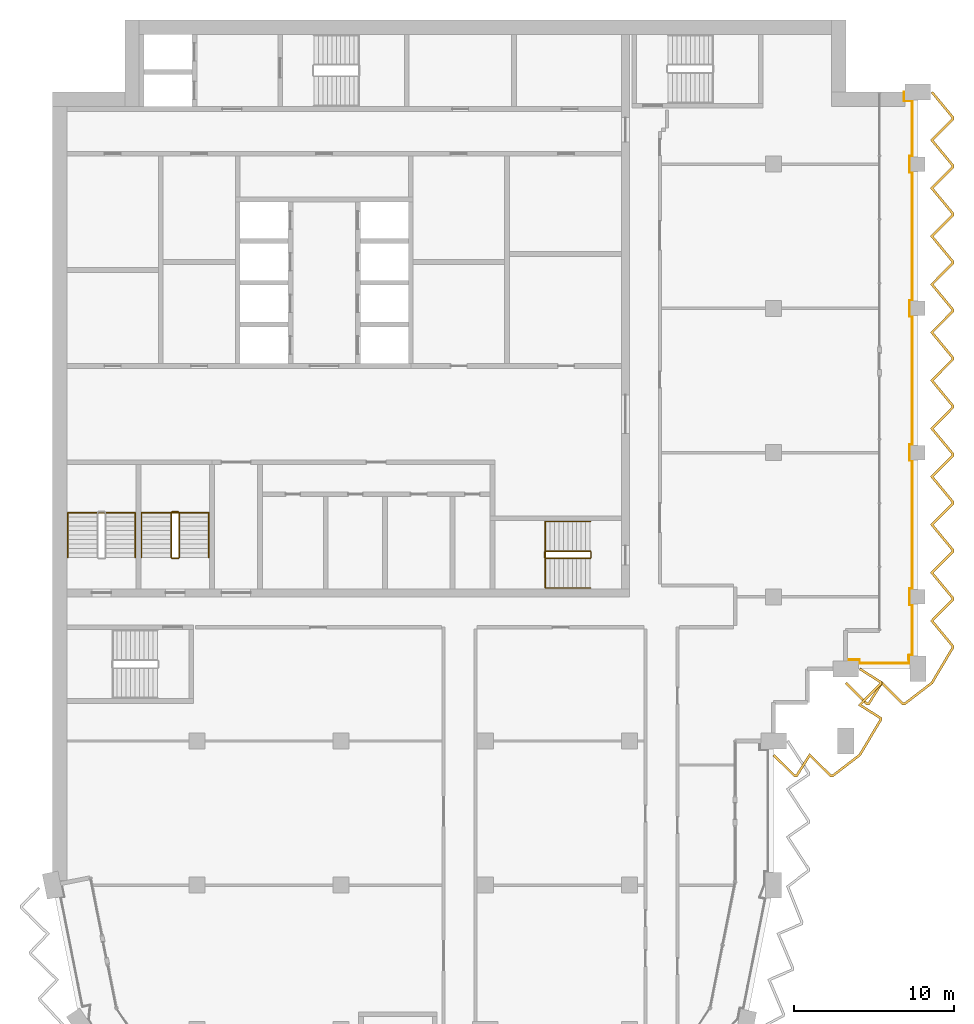
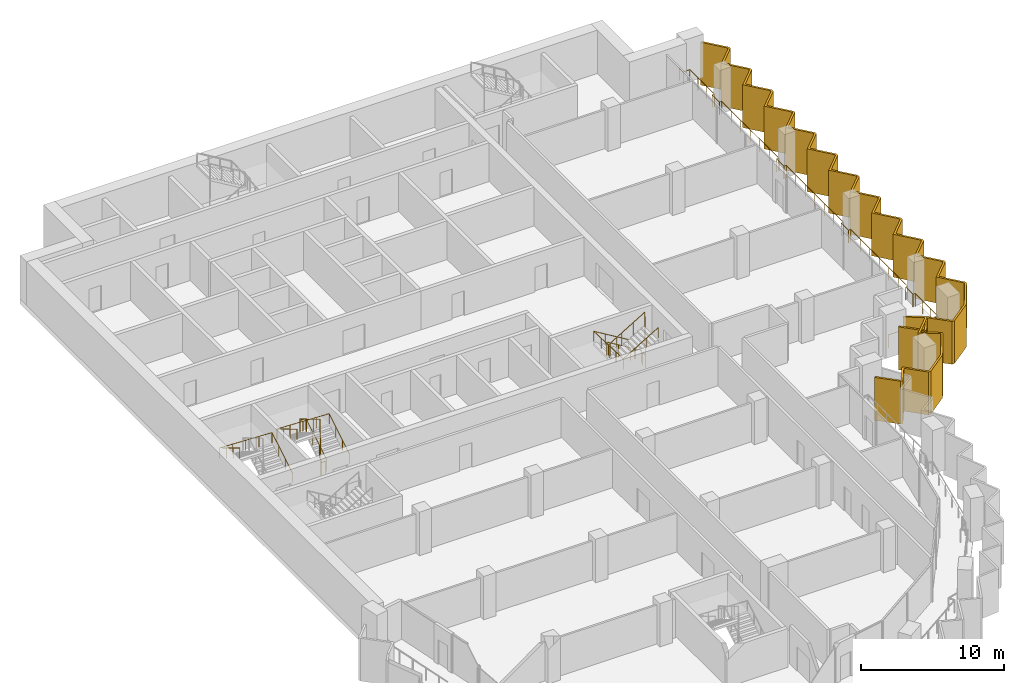
# One storey, part 14 of 15: 6 railings, 2 shading devices.
"""IFC4 building model written with IfcOpenShell, lengths in metres."""

import ifcopenshell
import ifcopenshell.guid

model = None  # the IFC model being written
_history = None  # IfcOwnerHistory: only IFC2X3 demands one
_inside = {}  # id of a spatial element -> (the spatial element, [elements in it])
_under = {}  # id of a project, library or spatial element -> (it, [spatial elements below it])
_declared = {}  # id of a project -> (the project, [libraries it declares])
_typed = {}  # id of a type object -> (the type object, [elements of that type])
_made_of = {}  # id of a material, layer set ... -> (it, [elements and type objects made of it])


def new_model(schema):
    """Start an empty IFC model of exactly this schema.

    Asked for "IFC4X3", IfcOpenShell would pick the latest addendum, in which some entities
    have other attributes; the version numbers below select the first issue.
    IFC2X3 requires an IfcOwnerHistory on every rooted entity: one is made here for all.
    """
    global model, _history
    if schema == "IFC4X3":
        model = ifcopenshell.file(schema_version=(4, 3, 0, 0))
    else:
        model = ifcopenshell.file(schema=schema)
    _inside.clear()
    _under.clear()
    _declared.clear()
    _typed.clear()
    _made_of.clear()
    _history = None
    if model.schema == "IFC2X3":
        org = make("IfcOrganization", Name="unknown")
        user = make(
            "IfcPersonAndOrganization",
            ThePerson=make("IfcPerson", FamilyName="unknown"),
            TheOrganization=org,
        )
        app = make(
            "IfcApplication",
            ApplicationDeveloper=org,
            Version="unknown",
            ApplicationFullName="unknown",
            ApplicationIdentifier="unknown",
        )
        _history = make(
            "IfcOwnerHistory",
            OwningUser=user,
            OwningApplication=app,
            ChangeAction="ADDED",
            CreationDate=0,
        )
    return model


def make(cls, **values):
    """One entity of the class cls with the attributes given. An attribute that is None is left unset."""
    return model.create_entity(
        cls, **{name: value for name, value in values.items() if value is not None}
    )


def rooted(cls, **values):
    """An entity with a GlobalId (a new one), such as an element, a storey or a relation."""
    return make(cls, GlobalId=ifcopenshell.guid.new(), OwnerHistory=_history, **values)


def si_unit(unit_type, name, prefix=None):
    """IfcSIUnit, for example si_unit("LENGTHUNIT", "METRE", prefix="MILLI")."""
    return make("IfcSIUnit", UnitType=unit_type, Prefix=prefix, Name=name)


def assignment(units):
    """IfcUnitAssignment: the units of a project."""
    return None if units is None else make("IfcUnitAssignment", Units=units)


def point(xyz):
    """IfcCartesianPoint."""
    return None if xyz is None else make("IfcCartesianPoint", Coordinates=xyz)


def direction(xyz):
    """IfcDirection."""
    return None if xyz is None else make("IfcDirection", DirectionRatios=xyz)


def frame(location, z_axis=None, x_axis=None):
    """IfcAxis2Placement3D, a coordinate frame: its origin and axes. An axis left out is left unset."""
    return make(
        "IfcAxis2Placement3D",
        Location=point(location),
        Axis=direction(z_axis),
        RefDirection=direction(x_axis),
    )


def frame_2d(location, x_axis=None):
    """IfcAxis2Placement2D, a coordinate frame in the plane: its origin and x axis."""
    return make(
        "IfcAxis2Placement2D", Location=point(location), RefDirection=direction(x_axis)
    )


def origin():
    """The frame at (0, 0, 0) with its axes left unset."""
    return frame((0.0, 0.0, 0.0))


def origin_2d():
    """The frame at (0, 0) in the plane with its x axis left unset."""
    return frame_2d((0.0, 0.0))


def place(relative_to, where):
    """IfcLocalPlacement: puts the frame where relative to a parent placement (None: the world)."""
    return make(
        "IfcLocalPlacement", PlacementRelTo=relative_to, RelativePlacement=where
    )


def context(
    kind, dimensions, precision=None, world=None, true_north=None, identifier=None
):
    """IfcGeometricRepresentationContext, for example the 3D "Model" context."""
    return make(
        "IfcGeometricRepresentationContext",
        ContextIdentifier=identifier,
        ContextType=kind,
        CoordinateSpaceDimension=dimensions,
        Precision=precision,
        WorldCoordinateSystem=world,
        TrueNorth=true_north,
    )


def subcontext(parent, identifier, kind, view, scale=None):
    """IfcGeometricRepresentationSubContext, for example "Body" below "Model"."""
    return make(
        "IfcGeometricRepresentationSubContext",
        ContextIdentifier=identifier,
        ContextType=kind,
        ParentContext=parent,
        TargetScale=scale,
        TargetView=view,
    )


def project(units=None, contexts=None):
    """IfcProject with its units and contexts."""
    return rooted(
        "IfcProject",
        Name="project",
        RepresentationContexts=contexts,
        UnitsInContext=assignment(units),
    )


def spatial(cls, under=None, at=None, **own):
    """A site, building, storey or space (cls), placed at a placement, below another one or the project."""
    s = rooted(cls, ObjectPlacement=at, **own)
    if under is not None:
        _under.setdefault(under.id(), (under, []))[1].append(s)
    return s


def polyline(points):
    """IfcPolyline through the points."""
    return make("IfcPolyline", Points=[point(p) for p in points])


def profile(cls, at=None, kind="AREA", **sizes):
    """A parametric profile (cls). Its sizes go by their IFC names, for example OverallWidth=200.0."""
    return make(cls, ProfileType=kind, Position=at, **sizes)


def circle(**sizes):
    """IfcCircleProfileDef."""
    return profile("IfcCircleProfileDef", **sizes)


def outline(outer, holes=None, kind="AREA"):
    """IfcArbitraryClosedProfileDef: a profile drawn as a closed curve; with holes, ...WithVoids."""
    if holes is None:
        return make("IfcArbitraryClosedProfileDef", ProfileType=kind, OuterCurve=outer)
    return make(
        "IfcArbitraryProfileDefWithVoids",
        ProfileType=kind,
        OuterCurve=outer,
        InnerCurves=holes,
    )


def extrude(swept, where, along, depth):
    """IfcExtrudedAreaSolid: the profile swept, set in the frame where, extruded along a direction by depth."""
    return make(
        "IfcExtrudedAreaSolid",
        SweptArea=swept,
        Position=where,
        ExtrudedDirection=direction(along),
        Depth=depth,
    )


def shape(context_of_items, identifier, shape_type, items):
    """IfcShapeRepresentation: the items that make up one representation, for example the "Body"."""
    return make(
        "IfcShapeRepresentation",
        ContextOfItems=context_of_items,
        RepresentationIdentifier=identifier,
        RepresentationType=shape_type,
        Items=items,
    )


def material(Name=None, Category=None):
    """IfcMaterial."""
    return make("IfcMaterial", Name=Name, Category=Category)


def layer(
    of_material, thickness, ventilated=None, Name=None, Category=None, Priority=None
):
    """IfcMaterialLayer: one layer of a wall or slab, of a material (None: an air gap)."""
    return make(
        "IfcMaterialLayer",
        Material=of_material,
        LayerThickness=thickness,
        IsVentilated=ventilated,
        Name=Name,
        Category=Category,
        Priority=Priority,
    )


def layer_set(layers, Name=None):
    """IfcMaterialLayerSet."""
    return make("IfcMaterialLayerSet", MaterialLayers=layers, LayerSetName=Name)


def made_of(thing, what):
    """Note that an element or type object is made of a material, layer set ...; save() writes the relation."""
    if what is not None:
        _made_of.setdefault(what.id(), (what, []))[1].append(thing)
    return thing


def type_object(cls, material=None, **own):
    """A type object (cls), such as IfcWallType, which elements share."""
    return made_of(rooted(cls, **own), material)


def element(
    cls,
    number,
    at=None,
    inside=None,
    cuts=None,
    type_object=None,
    material=None,
    context=None,
    identifier="Body",
    shape_type=None,
    held_by="IfcProductDefinitionShape",
    body=None,
    shapes=None,
    **own,
):
    """One element of the class cls, such as IfcWall. Its Tag is "e" and its number.

    at: its placement. inside: the storey or other place that contains it. cuts: it is an
    opening in that element (IfcRelVoidsElement). A single representation is given by context,
    identifier, shape_type and body (its items); several are given by shapes. held_by: the class
    of the entity that holds the representations. save() writes the other relations.
    """
    e = rooted(cls, Tag="e%d" % number, ObjectPlacement=at, **own)
    if body is not None:
        shapes = [shape(context, identifier, shape_type, body)]
    if shapes is not None:
        e.Representation = make(held_by, Representations=shapes)
    if inside is not None:
        _inside.setdefault(inside.id(), (inside, []))[1].append(e)
    if cuts is not None:
        rooted(
            "IfcRelVoidsElement", RelatingBuildingElement=cuts, RelatedOpeningElement=e
        )
    if type_object is not None:
        _typed.setdefault(type_object.id(), (type_object, []))[1].append(e)
    return made_of(e, material)


def aggregate(whole, parts):
    """IfcRelAggregates: a whole, such as a stair, and the parts it consists of."""
    return rooted("IfcRelAggregates", RelatingObject=whole, RelatedObjects=parts)


def save(model, path):
    """Write the relations noted so far, then the file.

    IfcRelAggregates (storeys below a building ...), IfcRelContainedInSpatialStructure (elements
    in a storey), IfcRelDefinesByType, IfcRelAssociatesMaterial and IfcRelDeclares: one each for
    every whole, place, type object, material and project.
    """
    for whole, parts in _under.values():
        aggregate(whole, parts)
    for where, things in _inside.values():
        rooted(
            "IfcRelContainedInSpatialStructure",
            RelatedElements=things,
            RelatingStructure=where,
        )
    for kind, things in _typed.values():
        rooted("IfcRelDefinesByType", RelatedObjects=things, RelatingType=kind)
    for what, things in _made_of.values():
        rooted("IfcRelAssociatesMaterial", RelatedObjects=things, RelatingMaterial=what)
    for by, libraries in _declared.values():
        rooted("IfcRelDeclares", RelatingContext=by, RelatedDefinitions=libraries)
    model.write(path)


model = new_model("IFC4")

# Units and contexts
model_context = context("Model", 3, precision=1e-05, world=origin(), true_north=direction((0.0, 1.0)))
body_context = subcontext(model_context, "Body", "Model", "MODEL_VIEW")
ifc_project = project(units=[si_unit("LENGTHUNIT", "METRE"), si_unit("AREAUNIT", "SQUARE_METRE"), si_unit("VOLUMEUNIT", "CUBIC_METRE"), si_unit("PLANEANGLEUNIT", "RADIAN"), si_unit("MASSUNIT", "GRAM", prefix="KILO")], contexts=[model_context])

# Site, building, storey
site_placement = place(None, origin())
site = spatial("IfcSite", under=ifc_project, at=site_placement, CompositionType="ELEMENT")
building_placement = place(site_placement, origin())
building = spatial("IfcBuilding", under=site, at=building_placement, Name="Hunhe Ridgeline Campus", CompositionType="ELEMENT")
storey_placement = place(building_placement, frame((0.0, 0.0, 231.800048828125)))
storey = spatial("IfcBuildingStorey", under=building, at=storey_placement, Name="L59", CompositionType="ELEMENT", Elevation=231.800048828125)

# Railing
ifc_material_1 = material(Name="Steel Q355", Category="steel")
railing_type_1 = type_object("IfcRailingType", Name="Loggia guard 1100 Steel Q355", PredefinedType="GUARDRAIL", material=ifc_material_1)
railing_1_placement = place(storey_placement, frame((49.5, 59.070068359375, 0.0)))
element("IfcRailing", 1, at=railing_1_placement, inside=storey, type_object=railing_type_1, Name="Loggia guard 2", PredefinedType="GUARDRAIL", context=body_context, shape_type="SweptSolid", body=[
    extrude(circle(Radius=0.02392578125, at=origin_2d()), frame((0.0, 0.0, 1.076171875), z_axis=(1.0, 0.0, 0.0), x_axis=(0.0, 1.0, 0.0)), (0.0, 0.0, 1.0), 0.85009765625),
    extrude(circle(Radius=0.02392578125, at=origin_2d()), frame((0.85009765625, 0.0, 1.076171875), z_axis=(0.0, -1.0, 0.0), x_axis=(1.0, 0.0, 0.0)), (0.0, 0.0, 1.0), 0.219970703125),
    extrude(circle(Radius=0.02392578125, at=origin_2d()), frame((0.85009765625, -0.219970703125, 1.076171875), z_axis=(1.0, 0.0, 0.0), x_axis=(0.0, 1.0, 0.0)), (0.0, 0.0, 1.0), 3.099853515625),
    extrude(circle(Radius=0.02392578125, at=origin_2d()), frame((3.949951171875, -0.219970703125, 1.076171875), z_axis=(0.0, 1.0, 0.0), x_axis=(-1.0, 0.0, 0.0)), (0.0, 0.0, 1.0), 0.52001953125),
    extrude(circle(Radius=0.02392578125, at=origin_2d()), frame((3.949951171875, 0.300048828125, 1.076171875), z_axis=(-0.066572895244, -0.99778156408, 0.0), x_axis=(0.99778156408, -0.066572895244, 0.0)), (0.0, 0.0, 1.0), 0.30078125),
    extrude(circle(Radius=0.02392578125, at=origin_2d()), frame((3.929931640625, 0.0, 1.076171875), z_axis=(0.0, 1.0, 0.0), x_axis=(-1.0, 0.0, 0.0)), (0.0, 0.0, 1.0), 0.280029296875),
    extrude(circle(Radius=0.02392578125, at=origin_2d()), frame((3.929931640625, 0.280029296875, 1.076171875), z_axis=(1.0, 0.0, 0.0), x_axis=(0.0, 1.0, 0.0)), (0.0, 0.0, 1.0), 0.219970703125),
    extrude(circle(Radius=0.02392578125, at=origin_2d()), frame((4.14990234375, 0.280029296875, 1.076171875), z_axis=(0.0, 1.0, 0.0), x_axis=(-1.0, 0.0, 0.0)), (0.0, 0.0, 1.0), 3.14990234375),
    extrude(circle(Radius=0.02392578125, at=origin_2d()), frame((4.14990234375, 3.429931640625, 1.076171875), z_axis=(-1.0, 0.0, 0.0), x_axis=(0.0, -1.0, 0.0)), (0.0, 0.0, 1.0), 0.169921875),
    extrude(circle(Radius=0.02392578125, at=origin_2d()), frame((3.97998046875, 3.429931640625, 1.076171875), z_axis=(0.0, 1.0, 0.0), x_axis=(-1.0, 0.0, 0.0)), (0.0, 0.0, 1.0), 1.0),
    extrude(circle(Radius=0.02392578125, at=origin_2d()), frame((3.97998046875, 4.429931640625, 1.076171875), z_axis=(1.0, 0.0, 0.0), x_axis=(0.0, 1.0, 0.0)), (0.0, 0.0, 1.0), 0.169921875),
    extrude(circle(Radius=0.02392578125, at=origin_2d()), frame((4.14990234375, 4.429931640625, 1.076171875), z_axis=(0.0, 1.0, 0.0), x_axis=(-1.0, 0.0, 0.0)), (0.0, 0.0, 1.0), 8.0),
    extrude(circle(Radius=0.02392578125, at=origin_2d()), frame((4.14990234375, 12.429931640625, 1.076171875), z_axis=(-1.0, 0.0, 0.0), x_axis=(0.0, -1.0, 0.0)), (0.0, 0.0, 1.0), 0.169921875),
    extrude(circle(Radius=0.02392578125, at=origin_2d()), frame((3.97998046875, 12.429931640625, 1.076171875), z_axis=(0.0, 1.0, 0.0), x_axis=(-1.0, 0.0, 0.0)), (0.0, 0.0, 1.0), 1.0),
    extrude(circle(Radius=0.02392578125, at=origin_2d()), frame((3.97998046875, 13.429931640625, 1.076171875), z_axis=(1.0, 0.0, 0.0), x_axis=(0.0, 1.0, 0.0)), (0.0, 0.0, 1.0), 0.169921875),
    extrude(circle(Radius=0.02392578125, at=origin_2d()), frame((4.14990234375, 13.429931640625, 1.076171875), z_axis=(0.0, 1.0, 0.0), x_axis=(-1.0, 0.0, 0.0)), (0.0, 0.0, 1.0), 8.0),
    extrude(circle(Radius=0.02392578125, at=origin_2d()), frame((4.14990234375, 21.429931640625, 1.076171875), z_axis=(-1.0, 0.0, 0.0), x_axis=(0.0, -1.0, 0.0)), (0.0, 0.0, 1.0), 0.169921875),
    extrude(circle(Radius=0.02392578125, at=origin_2d()), frame((3.97998046875, 21.429931640625, 1.076171875), z_axis=(0.0, 1.0, 0.0), x_axis=(-1.0, 0.0, 0.0)), (0.0, 0.0, 1.0), 1.0),
    extrude(circle(Radius=0.02392578125, at=origin_2d()), frame((3.97998046875, 22.429931640625, 1.076171875), z_axis=(1.0, 0.0, 0.0), x_axis=(0.0, 1.0, 0.0)), (0.0, 0.0, 1.0), 0.169921875),
    extrude(circle(Radius=0.02392578125, at=origin_2d()), frame((4.14990234375, 22.429931640625, 1.076171875), z_axis=(0.0, 1.0, 0.0), x_axis=(-1.0, 0.0, 0.0)), (0.0, 0.0, 1.0), 8.0),
    extrude(circle(Radius=0.02392578125, at=origin_2d()), frame((4.14990234375, 30.429931640625, 1.076171875), z_axis=(-1.0, 0.0, 0.0), x_axis=(0.0, -1.0, 0.0)), (0.0, 0.0, 1.0), 0.169921875),
    extrude(circle(Radius=0.02392578125, at=origin_2d()), frame((3.97998046875, 30.429931640625, 1.076171875), z_axis=(0.0, 1.0, 0.0), x_axis=(-1.0, 0.0, 0.0)), (0.0, 0.0, 1.0), 1.0),
    extrude(circle(Radius=0.02392578125, at=origin_2d()), frame((3.97998046875, 31.429931640625, 1.076171875), z_axis=(1.0, 0.0, 0.0), x_axis=(0.0, 1.0, 0.0)), (0.0, 0.0, 1.0), 0.169921875),
    extrude(circle(Radius=0.02392578125, at=origin_2d()), frame((4.14990234375, 31.429931640625, 1.076171875), z_axis=(0.0, 1.0, 0.0), x_axis=(-1.0, 0.0, 0.0)), (0.0, 0.0, 1.0), 3.449951171875),
    extrude(circle(Radius=0.02392578125, at=origin_2d()), frame((4.14990234375, 34.8798828125, 1.076171875), z_axis=(-1.0, 0.0, 0.0), x_axis=(0.0, -1.0, 0.0)), (0.0, 0.0, 1.0), 0.52001953125),
    extrude(circle(Radius=0.02392578125, at=origin_2d()), frame((3.6298828125, 34.8798828125, 1.076171875), z_axis=(0.0, 1.0, 0.0), x_axis=(-1.0, 0.0, 0.0)), (0.0, 0.0, 1.0), 0.550048828125),
    extrude(circle(Radius=0.02099609375, at=origin_2d()), origin(), (0.0, 0.0, 1.0), 1.052001953125),
    extrude(circle(Radius=0.02099609375, at=origin_2d()), frame((0.85009765625, 0.0, 0.0)), (0.0, 0.0, 1.0), 1.052001953125),
    extrude(circle(Radius=0.02099609375, at=origin_2d()), frame((0.85009765625, -0.219970703125, 0.0)), (0.0, 0.0, 1.0), 1.052001953125),
    extrude(circle(Radius=0.02099609375, at=origin_2d()), frame((1.88330078125, -0.219970703125, 0.0)), (0.0, 0.0, 1.0), 1.052001953125),
    extrude(circle(Radius=0.02099609375, at=origin_2d()), frame((2.916748046875, -0.219970703125, 0.0)), (0.0, 0.0, 1.0), 1.052001953125),
    extrude(circle(Radius=0.02099609375, at=origin_2d()), frame((3.949951171875, -0.219970703125, 0.0)), (0.0, 0.0, 1.0), 1.052001953125),
    extrude(circle(Radius=0.02099609375, at=origin_2d()), frame((3.949951171875, 0.300048828125, 0.0)), (0.0, 0.0, 1.0), 1.052001953125),
    extrude(circle(Radius=0.02099609375, at=origin_2d()), frame((3.929931640625, 0.0, 0.0)), (0.0, 0.0, 1.0), 1.052001953125),
    extrude(circle(Radius=0.02099609375, at=origin_2d()), frame((3.929931640625, 0.280029296875, 0.0)), (0.0, 0.0, 1.0), 1.052001953125),
    extrude(circle(Radius=0.02099609375, at=origin_2d()), frame((4.14990234375, 0.280029296875, 0.0)), (0.0, 0.0, 1.0), 1.052001953125),
    extrude(circle(Radius=0.02099609375, at=origin_2d()), frame((4.14990234375, 1.330078125, 0.0)), (0.0, 0.0, 1.0), 1.052001953125),
    extrude(circle(Radius=0.02099609375, at=origin_2d()), frame((4.14990234375, 2.3798828125, 0.0)), (0.0, 0.0, 1.0), 1.052001953125),
    extrude(circle(Radius=0.02099609375, at=origin_2d()), frame((4.14990234375, 3.429931640625, 0.0)), (0.0, 0.0, 1.0), 1.052001953125),
    extrude(circle(Radius=0.02099609375, at=origin_2d()), frame((3.97998046875, 3.429931640625, 0.0)), (0.0, 0.0, 1.0), 1.052001953125),
    extrude(circle(Radius=0.02099609375, at=origin_2d()), frame((3.97998046875, 4.429931640625, 0.0)), (0.0, 0.0, 1.0), 1.052001953125),
    extrude(circle(Radius=0.02099609375, at=origin_2d()), frame((4.14990234375, 4.429931640625, 0.0)), (0.0, 0.0, 1.0), 1.052001953125),
    extrude(circle(Radius=0.02099609375, at=origin_2d()), frame((4.14990234375, 5.76318359375, 0.0)), (0.0, 0.0, 1.0), 1.052001953125),
    extrude(circle(Radius=0.02099609375, at=origin_2d()), frame((4.14990234375, 7.0966796875, 0.0)), (0.0, 0.0, 1.0), 1.052001953125),
    extrude(circle(Radius=0.02099609375, at=origin_2d()), frame((4.14990234375, 8.429931640625, 0.0)), (0.0, 0.0, 1.0), 1.052001953125),
    extrude(circle(Radius=0.02099609375, at=origin_2d()), frame((4.14990234375, 9.76318359375, 0.0)), (0.0, 0.0, 1.0), 1.052001953125),
    extrude(circle(Radius=0.02099609375, at=origin_2d()), frame((4.14990234375, 11.0966796875, 0.0)), (0.0, 0.0, 1.0), 1.052001953125),
    extrude(circle(Radius=0.02099609375, at=origin_2d()), frame((4.14990234375, 12.429931640625, 0.0)), (0.0, 0.0, 1.0), 1.052001953125),
    extrude(circle(Radius=0.02099609375, at=origin_2d()), frame((3.97998046875, 12.429931640625, 0.0)), (0.0, 0.0, 1.0), 1.052001953125),
    extrude(circle(Radius=0.02099609375, at=origin_2d()), frame((3.97998046875, 13.429931640625, 0.0)), (0.0, 0.0, 1.0), 1.052001953125),
    extrude(circle(Radius=0.02099609375, at=origin_2d()), frame((4.14990234375, 13.429931640625, 0.0)), (0.0, 0.0, 1.0), 1.052001953125),
    extrude(circle(Radius=0.02099609375, at=origin_2d()), frame((4.14990234375, 14.76318359375, 0.0)), (0.0, 0.0, 1.0), 1.052001953125),
    extrude(circle(Radius=0.02099609375, at=origin_2d()), frame((4.14990234375, 16.0966796875, 0.0)), (0.0, 0.0, 1.0), 1.052001953125),
    extrude(circle(Radius=0.02099609375, at=origin_2d()), frame((4.14990234375, 17.429931640625, 0.0)), (0.0, 0.0, 1.0), 1.052001953125),
    extrude(circle(Radius=0.02099609375, at=origin_2d()), frame((4.14990234375, 18.76318359375, 0.0)), (0.0, 0.0, 1.0), 1.052001953125),
    extrude(circle(Radius=0.02099609375, at=origin_2d()), frame((4.14990234375, 20.0966796875, 0.0)), (0.0, 0.0, 1.0), 1.052001953125),
    extrude(circle(Radius=0.02099609375, at=origin_2d()), frame((4.14990234375, 21.429931640625, 0.0)), (0.0, 0.0, 1.0), 1.052001953125),
    extrude(circle(Radius=0.02099609375, at=origin_2d()), frame((3.97998046875, 21.429931640625, 0.0)), (0.0, 0.0, 1.0), 1.052001953125),
    extrude(circle(Radius=0.02099609375, at=origin_2d()), frame((3.97998046875, 22.429931640625, 0.0)), (0.0, 0.0, 1.0), 1.052001953125),
    extrude(circle(Radius=0.02099609375, at=origin_2d()), frame((4.14990234375, 22.429931640625, 0.0)), (0.0, 0.0, 1.0), 1.052001953125),
    extrude(circle(Radius=0.02099609375, at=origin_2d()), frame((4.14990234375, 23.76318359375, 0.0)), (0.0, 0.0, 1.0), 1.052001953125),
    extrude(circle(Radius=0.02099609375, at=origin_2d()), frame((4.14990234375, 25.0966796875, 0.0)), (0.0, 0.0, 1.0), 1.052001953125),
    extrude(circle(Radius=0.02099609375, at=origin_2d()), frame((4.14990234375, 26.429931640625, 0.0)), (0.0, 0.0, 1.0), 1.052001953125),
    extrude(circle(Radius=0.02099609375, at=origin_2d()), frame((4.14990234375, 27.76318359375, 0.0)), (0.0, 0.0, 1.0), 1.052001953125),
    extrude(circle(Radius=0.02099609375, at=origin_2d()), frame((4.14990234375, 29.0966796875, 0.0)), (0.0, 0.0, 1.0), 1.052001953125),
    extrude(circle(Radius=0.02099609375, at=origin_2d()), frame((4.14990234375, 30.429931640625, 0.0)), (0.0, 0.0, 1.0), 1.052001953125),
    extrude(circle(Radius=0.02099609375, at=origin_2d()), frame((3.97998046875, 30.429931640625, 0.0)), (0.0, 0.0, 1.0), 1.052001953125),
    extrude(circle(Radius=0.02099609375, at=origin_2d()), frame((3.97998046875, 31.429931640625, 0.0)), (0.0, 0.0, 1.0), 1.052001953125),
    extrude(circle(Radius=0.02099609375, at=origin_2d()), frame((4.14990234375, 31.429931640625, 0.0)), (0.0, 0.0, 1.0), 1.052001953125),
    extrude(circle(Radius=0.02099609375, at=origin_2d()), frame((4.14990234375, 32.579833984375, 0.0)), (0.0, 0.0, 1.0), 1.052001953125),
    extrude(circle(Radius=0.02099609375, at=origin_2d()), frame((4.14990234375, 33.72998046875, 0.0)), (0.0, 0.0, 1.0), 1.052001953125),
    extrude(circle(Radius=0.02099609375, at=origin_2d()), frame((4.14990234375, 34.8798828125, 0.0)), (0.0, 0.0, 1.0), 1.052001953125),
    extrude(circle(Radius=0.02099609375, at=origin_2d()), frame((3.6298828125, 34.8798828125, 0.0)), (0.0, 0.0, 1.0), 1.052001953125),
    extrude(circle(Radius=0.02099609375, at=origin_2d()), frame((3.6298828125, 35.429931640625, 0.0)), (0.0, 0.0, 1.0), 1.052001953125),
])

# Shading devices
ifc_material_2 = material(Name="Concrete C50", Category="concrete")
ifc_layer = layer(ifc_material_2, 0.14990234375)
ifc_layer_set = layer_set([ifc_layer], Name="Sawtooth concrete fin 150 Concrete C50")
shading_device_type = type_object("IfcShadingDeviceType", Name="Sawtooth concrete fin 150 Concrete C50", PredefinedType="USERDEFINED", material=ifc_layer_set)
shading_device_1_placement = place(storey_placement, frame((0.0, 0.0, -0.949951171875)))
element("IfcShadingDevice", 2, at=shading_device_1_placement, inside=storey, type_object=shading_device_type, Name="Concrete fin screen 2", ObjectType="FIN", PredefinedType="USERDEFINED", context=body_context, shape_type="SweptSolid", body=[
    extrude(outline(polyline([(45.052734375, 53.17822265625), (44.947265625, 53.07177734375), (46.279296875, 51.75), (46.4716796875, 51.75), (47.263671875, 53.005859375), (48.529296875, 51.75), (48.705810546875, 51.75), (50.43212890625, 53.07421875), (51.75, 55.28955078125), (51.75, 55.4716796875), (50.494140625, 56.263671875), (51.75, 57.529296875), (51.75, 57.7216796875), (50.4150390625, 58.5634765625), (50.3349609375, 58.4365234375), (51.60009765625, 57.638916015625), (51.60009765625, 57.591064453125), (50.255859375, 56.236328125), (51.60009765625, 55.388916015625), (51.60009765625, 55.330810546875), (50.31787109375, 53.17578125), (48.65478515625, 51.89990234375), (48.591064453125, 51.89990234375), (47.236328125, 53.244140625), (46.388916015625, 51.89990234375), (46.341064453125, 51.89990234375), (45.052734375, 53.17822265625)])), origin(), (0.0, 0.0, 1.0), 3.64990234375),
])
shading_device_2_placement = place(storey_placement, frame((0.0, 0.0, -0.949951171875)))
element("IfcShadingDevice", 3, at=shading_device_2_placement, inside=storey, type_object=shading_device_type, Name="Concrete fin screen 3", ObjectType="FIN", PredefinedType="USERDEFINED", context=body_context, shape_type="SweptSolid", body=[
    extrude(outline(polyline([(49.552734375, 57.67822265625), (49.447265625, 57.57177734375), (50.779296875, 56.25), (50.9716796875, 56.25), (51.763671875, 57.505859375), (53.029296875, 56.25), (53.205810546875, 56.25), (54.93212890625, 57.57421875), (56.25, 59.78955078125), (56.25, 59.957275390625), (54.97607421875, 61.495361328125), (56.25, 62.779296875), (56.25, 62.957275390625), (54.97607421875, 64.495361328125), (56.25, 65.779296875), (56.25, 65.957275390625), (54.97607421875, 67.495361328125), (56.25, 68.779296875), (56.25, 68.957275390625), (54.97607421875, 70.495361328125), (56.25, 71.779296875), (56.25, 71.957275390625), (54.97607421875, 73.495361328125), (56.25, 74.779296875), (56.25, 74.957275390625), (54.97607421875, 76.495361328125), (56.25, 77.779296875), (56.25, 77.957275390625), (54.97607421875, 79.495361328125), (56.25, 80.779296875), (56.25, 80.957275390625), (54.97607421875, 82.495361328125), (56.25, 83.779296875), (56.25, 83.957275390625), (54.97607421875, 85.495361328125), (56.25, 86.779296875), (56.25, 86.957275390625), (54.97607421875, 88.495361328125), (56.25, 89.779296875), (56.25, 89.957275390625), (54.97607421875, 91.495361328125), (56.25, 92.779296875), (56.25, 92.957275390625), (54.932861328125, 94.5478515625), (54.817138671875, 94.4521484375), (56.10009765625, 92.9033203125), (56.10009765625, 92.841064453125), (54.77392578125, 91.504638671875), (56.10009765625, 89.9033203125), (56.10009765625, 89.841064453125), (54.77392578125, 88.504638671875), (56.10009765625, 86.9033203125), (56.10009765625, 86.841064453125), (54.77392578125, 85.504638671875), (56.10009765625, 83.9033203125), (56.10009765625, 83.841064453125), (54.77392578125, 82.504638671875), (56.10009765625, 80.9033203125), (56.10009765625, 80.841064453125), (54.77392578125, 79.504638671875), (56.10009765625, 77.9033203125), (56.10009765625, 77.841064453125), (54.77392578125, 76.504638671875), (56.10009765625, 74.9033203125), (56.10009765625, 74.841064453125), (54.77392578125, 73.504638671875), (56.10009765625, 71.9033203125), (56.10009765625, 71.841064453125), (54.77392578125, 70.504638671875), (56.10009765625, 68.9033203125), (56.10009765625, 68.841064453125), (54.77392578125, 67.504638671875), (56.10009765625, 65.9033203125), (56.10009765625, 65.841064453125), (54.77392578125, 64.504638671875), (56.10009765625, 62.9033203125), (56.10009765625, 62.841064453125), (54.77392578125, 61.504638671875), (56.10009765625, 59.9033203125), (56.10009765625, 59.830810546875), (54.81787109375, 57.67578125), (53.15478515625, 56.39990234375), (53.091064453125, 56.39990234375), (51.736328125, 57.744140625), (50.888916015625, 56.39990234375), (50.841064453125, 56.39990234375), (49.552734375, 57.67822265625)])), origin(), (0.0, 0.0, 1.0), 3.64990234375),
])

# Railings
ifc_material_3 = material(Name="Stainless steel balustrade", Category="steel")
railing_type_2 = type_object("IfcRailingType", Name="Stair guard 1100 stainless", PredefinedType="GUARDRAIL", material=ifc_material_3)
railing_2_placement = place(storey_placement, frame((33.550048828125, 65.85009765625, 0.168212890625)))
element("IfcRailing", 4, at=railing_2_placement, inside=storey, type_object=railing_type_2, Name="L59 stair S2 guard", PredefinedType="GUARDRAIL", context=body_context, shape_type="SweptSolid", body=[
    extrude(circle(Radius=0.02392578125, at=origin_2d()), frame((0.0, 0.0, 1.076171875), z_axis=(-0.857275202839, 0.0, 0.514858452973), x_axis=(0.0, -1.0, 0.0)), (0.0, 0.0, 1.0), 3.26611328125),
    extrude(circle(Radius=0.02392578125, at=origin_2d()), frame((-2.800048828125, 0.0, 2.7578125), z_axis=(-0.707106781187, -0.707106781187, 0.0), x_axis=(0.707106781187, -0.707106781187, 0.0)), (0.0, 0.0, 1.0), 0.07080078125),
    extrude(circle(Radius=0.02392578125, at=origin_2d()), frame((-2.85009765625, -0.050048828125, 2.7578125), z_axis=(0.0, -1.0, 0.0), x_axis=(1.0, 0.0, 0.0)), (0.0, 0.0, 1.0), 0.35009765625),
    extrude(circle(Radius=0.02392578125, at=origin_2d()), frame((-2.85009765625, -0.400146484375, 2.7578125), z_axis=(0.274243871929, -0.274243871929, 0.92172696468), x_axis=(0.707106781187, 0.707106781187, 0.0)), (0.0, 0.0, 1.0), 0.1826171875),
    extrude(circle(Radius=0.02392578125, at=origin_2d()), frame((-2.800048828125, -0.4501953125, 2.92578125), z_axis=(0.857242210791, 0.0, 0.514913383045), x_axis=(0.0, 1.0, 0.0)), (0.0, 0.0, 1.0), 3.266357421875),
    extrude(circle(Radius=0.02392578125, at=origin_2d()), frame((0.0, -0.4501953125, 4.60791015625), z_axis=(0.013524414389, 0.013524414389, -0.999817073484), x_axis=(-0.707106781187, 0.707106781187, 0.0)), (0.0, 0.0, 1.0), 3.70068359375),
    extrude(circle(Radius=0.02392578125, at=origin_2d()), frame((0.050048828125, -0.400146484375, 0.90771484375), z_axis=(0.0, 1.0, 0.0), x_axis=(-1.0, 0.0, 0.0)), (0.0, 0.0, 1.0), 0.35009765625),
    extrude(circle(Radius=0.02099609375, at=origin_2d()), origin(), (0.0, 0.0, 1.0), 1.052001953125),
    extrude(circle(Radius=0.02099609375, at=origin_2d()), frame((-0.933349609375, 0.0, 0.560546875)), (0.0, 0.0, 1.0), 1.052001953125),
    extrude(circle(Radius=0.02099609375, at=origin_2d()), frame((-1.86669921875, 0.0, 1.12109375)), (0.0, 0.0, 1.0), 1.052001953125),
    extrude(circle(Radius=0.02099609375, at=origin_2d()), frame((-2.800048828125, 0.0, 1.681640625)), (0.0, 0.0, 1.0), 1.052001953125),
    extrude(circle(Radius=0.02099609375, at=origin_2d()), frame((-2.85009765625, -0.050048828125, 1.681640625)), (0.0, 0.0, 1.0), 1.052001953125),
    extrude(circle(Radius=0.02099609375, at=origin_2d()), frame((-2.85009765625, -0.400146484375, 1.681640625)), (0.0, 0.0, 1.0), 1.052001953125),
    extrude(circle(Radius=0.02099609375, at=origin_2d()), frame((-2.800048828125, -0.4501953125, 1.849853515625)), (0.0, 0.0, 1.0), 1.052001953125),
    extrude(circle(Radius=0.02099609375, at=origin_2d()), frame((-1.86669921875, -0.4501953125, 2.410400390625)), (0.0, 0.0, 1.0), 1.052001953125),
    extrude(circle(Radius=0.02099609375, at=origin_2d()), frame((-0.933349609375, -0.4501953125, 2.97119140625)), (0.0, 0.0, 1.0), 1.052001953125),
    extrude(circle(Radius=0.02099609375, at=origin_2d()), frame((0.0, -0.4501953125, 3.53173828125)), (0.0, 0.0, 1.0), 1.052001953125),
    extrude(circle(Radius=0.02099609375, at=origin_2d()), frame((0.012451171875, -0.437744140625, 2.606689453125)), (0.0, 0.0, 1.0), 1.052001953125),
    extrude(circle(Radius=0.02099609375, at=origin_2d()), frame((0.02490234375, -0.42529296875, 1.681640625)), (0.0, 0.0, 1.0), 1.052001953125),
    extrude(circle(Radius=0.02099609375, at=origin_2d()), frame((0.03759765625, -0.41259765625, 0.7568359375)), (0.0, 0.0, 1.0), 1.052001953125),
    extrude(circle(Radius=0.02099609375, at=origin_2d()), frame((0.050048828125, -0.400146484375, -0.168212890625)), (0.0, 0.0, 1.0), 1.052001953125),
    extrude(circle(Radius=0.02099609375, at=origin_2d()), frame((0.050048828125, -0.050048828125, -0.168212890625)), (0.0, 0.0, 1.0), 1.052001953125),
])
railing_3_placement = place(storey_placement, frame((7.89990234375, 65.449951171875, 0.168212890625)))
element("IfcRailing", 5, at=railing_3_placement, inside=storey, type_object=railing_type_2, Name="L59 stair S4 guard", PredefinedType="GUARDRAIL", context=body_context, shape_type="SweptSolid", body=[
    extrude(circle(Radius=0.02392578125, at=origin_2d()), frame((0.0, 0.0, 1.076171875), z_axis=(0.0, 0.857275202839, 0.514858452973), x_axis=(-1.0, 0.0, 0.0)), (0.0, 0.0, 1.0), 3.26611328125),
    extrude(circle(Radius=0.02392578125, at=origin_2d()), frame((0.0, 2.800048828125, 2.7578125), z_axis=(-0.705375805398, 0.708833529934, 0.0), x_axis=(-0.708833529934, -0.705375805398, 0.0)), (0.0, 0.0, 1.0), 0.070556640625),
    extrude(circle(Radius=0.02392578125, at=origin_2d()), frame((-0.0498046875, 2.85009765625, 2.7578125), z_axis=(-1.0, 0.0, 0.0), x_axis=(0.0, -1.0, 0.0)), (0.0, 0.0, 1.0), 0.400146484375),
    extrude(circle(Radius=0.02392578125, at=origin_2d()), frame((-0.449951171875, 2.85009765625, 2.7578125), z_axis=(-0.274243871929, -0.274243871929, 0.92172696468), x_axis=(0.707106781187, -0.707106781187, 0.0)), (0.0, 0.0, 1.0), 0.1826171875),
    extrude(circle(Radius=0.02392578125, at=origin_2d()), frame((-0.5, 2.800048828125, 2.92578125), z_axis=(0.0, -0.857242210791, 0.514913383045), x_axis=(1.0, 0.0, 0.0)), (0.0, 0.0, 1.0), 3.266357421875),
    extrude(circle(Radius=0.02392578125, at=origin_2d()), frame((-0.5, 0.0, 4.60791015625), z_axis=(0.013524414389, -0.013524414389, -0.999817073484), x_axis=(0.707106781187, 0.707106781187, 0.0)), (0.0, 0.0, 1.0), 3.70068359375),
    extrude(circle(Radius=0.02392578125, at=origin_2d()), frame((-0.449951171875, -0.050048828125, 0.90771484375), z_axis=(1.0, 0.0, 0.0), x_axis=(0.0, 1.0, 0.0)), (0.0, 0.0, 1.0), 0.400146484375),
    extrude(circle(Radius=0.02099609375, at=origin_2d()), origin(), (0.0, 0.0, 1.0), 1.052001953125),
    extrude(circle(Radius=0.02099609375, at=origin_2d()), frame((0.0, 0.933349609375, 0.560546875)), (0.0, 0.0, 1.0), 1.052001953125),
    extrude(circle(Radius=0.02099609375, at=origin_2d()), frame((0.0, 1.86669921875, 1.12109375)), (0.0, 0.0, 1.0), 1.052001953125),
    extrude(circle(Radius=0.02099609375, at=origin_2d()), frame((0.0, 2.800048828125, 1.681640625)), (0.0, 0.0, 1.0), 1.052001953125),
    extrude(circle(Radius=0.02099609375, at=origin_2d()), frame((-0.0498046875, 2.85009765625, 1.681640625)), (0.0, 0.0, 1.0), 1.052001953125),
    extrude(circle(Radius=0.02099609375, at=origin_2d()), frame((-0.449951171875, 2.85009765625, 1.681640625)), (0.0, 0.0, 1.0), 1.052001953125),
    extrude(circle(Radius=0.02099609375, at=origin_2d()), frame((-0.5, 2.800048828125, 1.849853515625)), (0.0, 0.0, 1.0), 1.052001953125),
    extrude(circle(Radius=0.02099609375, at=origin_2d()), frame((-0.5, 1.86669921875, 2.410400390625)), (0.0, 0.0, 1.0), 1.052001953125),
    extrude(circle(Radius=0.02099609375, at=origin_2d()), frame((-0.5, 0.933349609375, 2.97119140625)), (0.0, 0.0, 1.0), 1.052001953125),
    extrude(circle(Radius=0.02099609375, at=origin_2d()), frame((-0.5, 0.0, 3.53173828125)), (0.0, 0.0, 1.0), 1.052001953125),
    extrude(circle(Radius=0.02099609375, at=origin_2d()), frame((-0.487548828125, -0.012451171875, 2.606689453125)), (0.0, 0.0, 1.0), 1.052001953125),
    extrude(circle(Radius=0.02099609375, at=origin_2d()), frame((-0.47509765625, -0.02490234375, 1.681640625)), (0.0, 0.0, 1.0), 1.052001953125),
    extrude(circle(Radius=0.02099609375, at=origin_2d()), frame((-0.46240234375, -0.03759765625, 0.7568359375)), (0.0, 0.0, 1.0), 1.052001953125),
    extrude(circle(Radius=0.02099609375, at=origin_2d()), frame((-0.449951171875, -0.050048828125, -0.168212890625)), (0.0, 0.0, 1.0), 1.052001953125),
    extrude(circle(Radius=0.02099609375, at=origin_2d()), frame((-0.0498046875, -0.050048828125, -0.168212890625)), (0.0, 0.0, 1.0), 1.052001953125),
])
ifc_material_4 = material(Name="Stainless steel handrail", Category="steel")
railing_type_3 = type_object("IfcRailingType", Name="Stair handrail 900 stainless", PredefinedType="HANDRAIL", material=ifc_material_4)
railing_4_placement = place(storey_placement, frame((33.550048828125, 67.699951171875, 0.168212890625)))
element("IfcRailing", 6, at=railing_4_placement, inside=storey, type_object=railing_type_3, Name="L59 stair S2 handrail", PredefinedType="HANDRAIL", context=body_context, shape_type="SweptSolid", body=[
    extrude(circle(Radius=0.02392578125, at=origin_2d()), frame((0.0, 0.0, 0.8759765625), z_axis=(-0.857275202839, 0.0, 0.514858452973), x_axis=(0.0, -1.0, 0.0)), (0.0, 0.0, 1.0), 3.26611328125),
    extrude(circle(Radius=0.02392578125, at=origin_2d()), frame((-2.800048828125, 0.0, 2.5576171875), z_axis=(0.0, -0.99917950104, 0.040500922239), x_axis=(1.0, 0.0, 0.0)), (0.0, 0.0, 1.0), 4.1533203125),
    extrude(circle(Radius=0.02392578125, at=origin_2d()), frame((-2.800048828125, -4.14990234375, 2.7255859375), z_axis=(0.857242210791, 0.0, 0.514913383045), x_axis=(0.0, 1.0, 0.0)), (0.0, 0.0, 1.0), 3.266357421875),
    extrude(circle(Radius=0.02099609375, at=origin_2d()), origin(), (0.0, 0.0, 1.0), 0.851806640625),
    extrude(circle(Radius=0.02099609375, at=origin_2d()), frame((-0.933349609375, 0.0, 0.560546875)), (0.0, 0.0, 1.0), 0.851806640625),
    extrude(circle(Radius=0.02099609375, at=origin_2d()), frame((-1.86669921875, 0.0, 1.12109375)), (0.0, 0.0, 1.0), 0.851806640625),
    extrude(circle(Radius=0.02099609375, at=origin_2d()), frame((-2.800048828125, 0.0, 1.681640625)), (0.0, 0.0, 1.0), 0.851806640625),
    extrude(circle(Radius=0.02099609375, at=origin_2d()), frame((-2.800048828125, -1.03759765625, 1.7236328125)), (0.0, 0.0, 1.0), 0.851806640625),
    extrude(circle(Radius=0.02099609375, at=origin_2d()), frame((-2.800048828125, -2.074951171875, 1.765625)), (0.0, 0.0, 1.0), 0.851806640625),
    extrude(circle(Radius=0.02099609375, at=origin_2d()), frame((-2.800048828125, -3.1123046875, 1.807861328125)), (0.0, 0.0, 1.0), 0.851806640625),
    extrude(circle(Radius=0.02099609375, at=origin_2d()), frame((-2.800048828125, -4.14990234375, 1.849853515625)), (0.0, 0.0, 1.0), 0.851806640625),
    extrude(circle(Radius=0.02099609375, at=origin_2d()), frame((-1.86669921875, -4.14990234375, 2.410400390625)), (0.0, 0.0, 1.0), 0.851806640625),
    extrude(circle(Radius=0.02099609375, at=origin_2d()), frame((-0.933349609375, -4.14990234375, 2.97119140625)), (0.0, 0.0, 1.0), 0.851806640625),
    extrude(circle(Radius=0.02099609375, at=origin_2d()), frame((0.0, -4.14990234375, 3.53173828125)), (0.0, 0.0, 1.0), 0.851806640625),
])
railing_5_placement = place(storey_placement, frame((5.14990234375, 65.449951171875, 0.168212890625)))
element("IfcRailing", 7, at=railing_5_placement, inside=storey, type_object=railing_type_3, Name="L59 stair S3 handrail", PredefinedType="HANDRAIL", context=body_context, shape_type="SweptSolid", body=[
    extrude(circle(Radius=0.02392578125, at=origin_2d()), frame((0.0, 0.0, 0.8759765625), z_axis=(0.0, 0.857275202839, 0.514858452973), x_axis=(-1.0, 0.0, 0.0)), (0.0, 0.0, 1.0), 3.26611328125),
    extrude(circle(Radius=0.02392578125, at=origin_2d()), frame((0.0, 2.800048828125, 2.5576171875), z_axis=(-0.999198916169, 0.0, 0.040019069537), x_axis=(0.0, -1.0, 0.0)), (0.0, 0.0, 1.0), 4.203369140625),
    extrude(circle(Radius=0.02392578125, at=origin_2d()), frame((-4.199951171875, 2.800048828125, 2.7255859375), z_axis=(0.0, -0.857242210791, 0.514913383045), x_axis=(1.0, 0.0, 0.0)), (0.0, 0.0, 1.0), 3.266357421875),
    extrude(circle(Radius=0.02099609375, at=origin_2d()), origin(), (0.0, 0.0, 1.0), 0.851806640625),
    extrude(circle(Radius=0.02099609375, at=origin_2d()), frame((0.0, 0.933349609375, 0.560546875)), (0.0, 0.0, 1.0), 0.851806640625),
    extrude(circle(Radius=0.02099609375, at=origin_2d()), frame((0.0, 1.86669921875, 1.12109375)), (0.0, 0.0, 1.0), 0.851806640625),
    extrude(circle(Radius=0.02099609375, at=origin_2d()), frame((0.0, 2.800048828125, 1.681640625)), (0.0, 0.0, 1.0), 0.851806640625),
    extrude(circle(Radius=0.02099609375, at=origin_2d()), frame((-1.050048828125, 2.800048828125, 1.7236328125)), (0.0, 0.0, 1.0), 0.851806640625),
    extrude(circle(Radius=0.02099609375, at=origin_2d()), frame((-2.10009765625, 2.800048828125, 1.765625)), (0.0, 0.0, 1.0), 0.851806640625),
    extrude(circle(Radius=0.02099609375, at=origin_2d()), frame((-3.14990234375, 2.800048828125, 1.807861328125)), (0.0, 0.0, 1.0), 0.851806640625),
    extrude(circle(Radius=0.02099609375, at=origin_2d()), frame((-4.199951171875, 2.800048828125, 1.849853515625)), (0.0, 0.0, 1.0), 0.851806640625),
    extrude(circle(Radius=0.02099609375, at=origin_2d()), frame((-4.199951171875, 1.86669921875, 2.410400390625)), (0.0, 0.0, 1.0), 0.851806640625),
    extrude(circle(Radius=0.02099609375, at=origin_2d()), frame((-4.199951171875, 0.933349609375, 2.97119140625)), (0.0, 0.0, 1.0), 0.851806640625),
    extrude(circle(Radius=0.02099609375, at=origin_2d()), frame((-4.199951171875, 0.0, 3.53173828125)), (0.0, 0.0, 1.0), 0.851806640625),
])
railing_6_placement = place(storey_placement, frame((9.75, 65.449951171875, 0.168212890625)))
element("IfcRailing", 8, at=railing_6_placement, inside=storey, type_object=railing_type_3, Name="L59 stair S4 handrail", PredefinedType="HANDRAIL", context=body_context, shape_type="SweptSolid", body=[
    extrude(circle(Radius=0.02392578125, at=origin_2d()), frame((0.0, 0.0, 0.8759765625), z_axis=(0.0, 0.857275202839, 0.514858452973), x_axis=(-1.0, 0.0, 0.0)), (0.0, 0.0, 1.0), 3.26611328125),
    extrude(circle(Radius=0.02392578125, at=origin_2d()), frame((0.0, 2.800048828125, 2.5576171875), z_axis=(-0.999198916169, 0.0, 0.040019069537), x_axis=(0.0, -1.0, 0.0)), (0.0, 0.0, 1.0), 4.203369140625),
    extrude(circle(Radius=0.02392578125, at=origin_2d()), frame((-4.199951171875, 2.800048828125, 2.7255859375), z_axis=(0.0, -0.857242210791, 0.514913383045), x_axis=(1.0, 0.0, 0.0)), (0.0, 0.0, 1.0), 3.266357421875),
    extrude(circle(Radius=0.02099609375, at=origin_2d()), origin(), (0.0, 0.0, 1.0), 0.851806640625),
    extrude(circle(Radius=0.02099609375, at=origin_2d()), frame((0.0, 0.933349609375, 0.560546875)), (0.0, 0.0, 1.0), 0.851806640625),
    extrude(circle(Radius=0.02099609375, at=origin_2d()), frame((0.0, 1.86669921875, 1.12109375)), (0.0, 0.0, 1.0), 0.851806640625),
    extrude(circle(Radius=0.02099609375, at=origin_2d()), frame((0.0, 2.800048828125, 1.681640625)), (0.0, 0.0, 1.0), 0.851806640625),
    extrude(circle(Radius=0.02099609375, at=origin_2d()), frame((-1.050048828125, 2.800048828125, 1.7236328125)), (0.0, 0.0, 1.0), 0.851806640625),
    extrude(circle(Radius=0.02099609375, at=origin_2d()), frame((-2.10009765625, 2.800048828125, 1.765625)), (0.0, 0.0, 1.0), 0.851806640625),
    extrude(circle(Radius=0.02099609375, at=origin_2d()), frame((-3.14990234375, 2.800048828125, 1.807861328125)), (0.0, 0.0, 1.0), 0.851806640625),
    extrude(circle(Radius=0.02099609375, at=origin_2d()), frame((-4.199951171875, 2.800048828125, 1.849853515625)), (0.0, 0.0, 1.0), 0.851806640625),
    extrude(circle(Radius=0.02099609375, at=origin_2d()), frame((-4.199951171875, 1.86669921875, 2.410400390625)), (0.0, 0.0, 1.0), 0.851806640625),
    extrude(circle(Radius=0.02099609375, at=origin_2d()), frame((-4.199951171875, 0.933349609375, 2.97119140625)), (0.0, 0.0, 1.0), 0.851806640625),
    extrude(circle(Radius=0.02099609375, at=origin_2d()), frame((-4.199951171875, 0.0, 3.53173828125)), (0.0, 0.0, 1.0), 0.851806640625),
])

save(model, "model.ifc")
